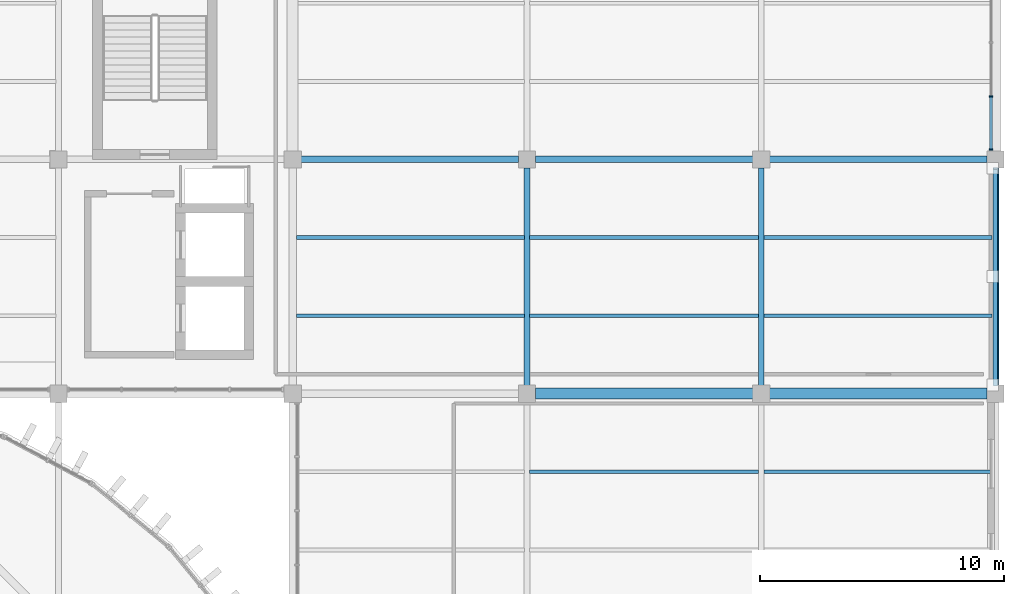
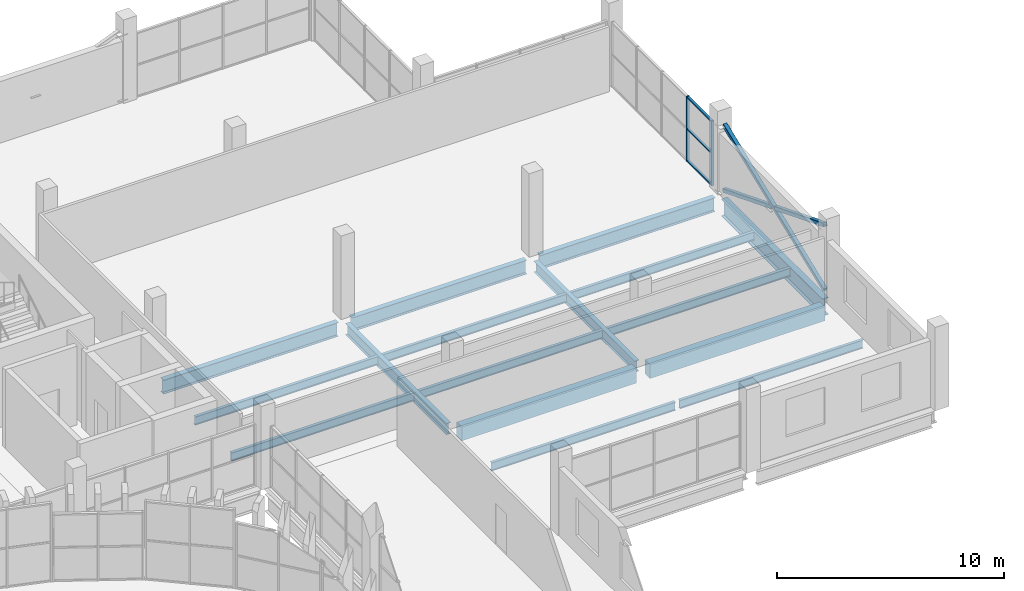
# One storey, part 30 of 75: 16 beams, 8 members, 1 element without a shape of its own.
"""IFC4 building model written with IfcOpenShell, lengths in metres."""

from ifc_helpers import new_model, si_unit, direction, frame, origin, origin_2d, place, context, subcontext, project, spatial, rectangle, hollow_rectangle, i_section, extrude, material, layer, layer_set, material_profile, profile_set, type_object, element, aggregate, save


model = new_model("IFC4")

# Units and contexts
model_context = context("Model", 3, precision=1e-05, world=origin(), true_north=direction((0.0, 1.0)))
body_context = subcontext(model_context, "Body", "Model", "MODEL_VIEW")
ifc_project = project(units=[si_unit("LENGTHUNIT", "METRE"), si_unit("AREAUNIT", "SQUARE_METRE"), si_unit("VOLUMEUNIT", "CUBIC_METRE"), si_unit("PLANEANGLEUNIT", "RADIAN"), si_unit("MASSUNIT", "GRAM", prefix="KILO")], contexts=[model_context])

# Site, building, storey
site_placement = place(None, origin())
site = spatial("IfcSite", under=ifc_project, at=site_placement, CompositionType="ELEMENT")
building_placement = place(site_placement, origin())
building = spatial("IfcBuilding", under=site, at=building_placement, Name="Caelomonte Colonnade Arena", CompositionType="ELEMENT")
storey_placement = place(building_placement, frame((0.0, 0.0, 14.10009765625)))
storey = spatial("IfcBuildingStorey", under=building, at=storey_placement, Name="L03", CompositionType="ELEMENT", Elevation=14.10009765625)

# Curtain wall, members
ifc_material_1 = material(Name="Bronze anodised aluminium and low-E glazing", Category="aluminium")
ifc_layer = layer(ifc_material_1, 0.179931640625)
ifc_layer_set = layer_set([ifc_layer], Name="Bronze anodised aluminium and low-E glazing")
curtain_wall_type = type_object("IfcCurtainWallType", Name="ENV-CW-CW-L03-96-35", PredefinedType="USERDEFINED", material=ifc_layer_set)
curtain_wall_placement = place(storey_placement, origin())
curtain_wall = element("IfcCurtainWall", 1, at=curtain_wall_placement, inside=storey, type_object=curtain_wall_type, Name="L03 unitized curtain wall CW-L03-1918-1296", ObjectType="UNITIZED CURTAIN WALL", PredefinedType="USERDEFINED")
ifc_material_2 = material(Name="Bronze anodised aluminium AA6063-T6", Category="aluminium")
ifc_material_profile_1 = material_profile(ifc_material_2, rectangle(XDim=0.06494140625, YDim=0.14990234375, at=origin_2d()), Name="CWM-65X150")
ifc_profile_set_1 = profile_set([ifc_material_profile_1], Name="Bronze anodised aluminium AA6063-T6")
member_type_1 = type_object("IfcMemberType", Name="ENV-CW-MULL2", PredefinedType="MULLION", material=ifc_profile_set_1)
member_1_placement = place(storey_placement, frame((191.820068359375, 125.202392578125, 0.0), z_axis=(0.0, 0.0, 1.0), x_axis=(0.0, 1.0, 0.0)))
member_1 = element("IfcMember", 2, at=member_1_placement, type_object=member_type_1, Name="CW-L03-96-35 mullion 1", PredefinedType="MULLION", context=body_context, shape_type="SweptSolid", body=[
    extrude(rectangle(XDim=0.06494140625, YDim=0.14990234375, at=origin_2d()), origin(), (0.0, 0.0, 1.0), 3.489990234375),
])
member_2_placement = place(storey_placement, frame((191.820068359375, 127.385009765625, 0.0), z_axis=(0.0, 0.0, 1.0), x_axis=(0.0, 1.0, 0.0)))
member_2 = element("IfcMember", 3, at=member_2_placement, type_object=member_type_1, Name="CW-L03-96-35 mullion 2", PredefinedType="MULLION", context=body_context, shape_type="SweptSolid", body=[
    extrude(rectangle(XDim=0.06494140625, YDim=0.14990234375, at=origin_2d()), origin(), (0.0, 0.0, 1.0), 3.489990234375),
])
ifc_material_profile_2 = material_profile(ifc_material_2, rectangle(XDim=0.06494140625, YDim=0.1201171875, at=origin_2d()), Name="CWT-65X120")
ifc_profile_set_2 = profile_set([ifc_material_profile_2], Name="Bronze anodised aluminium AA6063-T6")
member_type_2 = type_object("IfcMemberType", Name="ENV-CW-TRAN2", PredefinedType="USERDEFINED", material=ifc_profile_set_2)
member_3_placement = place(storey_placement, frame((191.820068359375, 125.235107421875, 0.032470703125), z_axis=(0.0, 1.0, 0.0), x_axis=(0.0, 0.0, 1.0)))
member_3 = element("IfcMember", 4, at=member_3_placement, type_object=member_type_2, Name="CW-L03-96-35 transom 1.1", ObjectType="TRANSOM", PredefinedType="USERDEFINED", context=body_context, shape_type="SweptSolid", body=[
    extrude(rectangle(XDim=0.06494140625, YDim=0.1201171875, at=origin_2d()), origin(), (0.0, 0.0, 1.0), 2.117431640625),
])
member_4_placement = place(storey_placement, frame((191.820068359375, 125.235107421875, 1.744873046875), z_axis=(0.0, 1.0, 0.0), x_axis=(0.0, 0.0, 1.0)))
member_4 = element("IfcMember", 5, at=member_4_placement, type_object=member_type_2, Name="CW-L03-96-35 transom 1.2", ObjectType="TRANSOM", PredefinedType="USERDEFINED", context=body_context, shape_type="SweptSolid", body=[
    extrude(rectangle(XDim=0.06494140625, YDim=0.1201171875, at=origin_2d()), origin(), (0.0, 0.0, 1.0), 2.117431640625),
])
member_5_placement = place(storey_placement, frame((191.820068359375, 125.235107421875, 3.45751953125), z_axis=(0.0, 1.0, 0.0), x_axis=(0.0, 0.0, 1.0)))
member_5 = element("IfcMember", 6, at=member_5_placement, type_object=member_type_2, Name="CW-L03-96-35 transom 1.3", ObjectType="TRANSOM", PredefinedType="USERDEFINED", context=body_context, shape_type="SweptSolid", body=[
    extrude(rectangle(XDim=0.06494140625, YDim=0.1201171875, at=origin_2d()), origin(), (0.0, 0.0, 1.0), 2.117431640625),
])
aggregate(curtain_wall, [member_1, member_2, member_3, member_4, member_5])

# Members
ifc_material_3 = material(Name="Steel ASTM A500 Grade C", Category="steel")
ifc_material_profile_3 = material_profile(ifc_material_3, hollow_rectangle(XDim=0.203125, YDim=0.203125, WallThickness=0.009521484375, InnerFilletRadius=0.009521484375, OuterFilletRadius=0.01904296875, at=origin_2d()), Name="HSS203X203X9.5")
ifc_profile_set_3 = profile_set([ifc_material_profile_3], Name="Steel ASTM A500 Grade C")
member_type_3 = type_object("IfcMemberType", Name="STR-BF-DIAG3", PredefinedType="BRACE", material=ifc_profile_set_3)
member_6_placement = place(storey_placement, frame((192.0, 115.563720703125, 0.161376953125), z_axis=(0.0, 0.929625953896, 0.368504526218), x_axis=(-1.0, 0.0, 0.0)))
element("IfcMember", 7, at=member_6_placement, inside=storey, type_object=member_type_3, Name="Braced frame BF4 L03 continuous diagonal A", PredefinedType="BRACE", context=body_context, shape_type="SweptSolid", body=[
    extrude(hollow_rectangle(XDim=0.203125, YDim=0.203125, WallThickness=0.009521484375, InnerFilletRadius=0.009521484375, OuterFilletRadius=0.01904296875, at=origin_2d()), origin(), (0.0, 0.0, 1.0), 9.544189453125),
])
for number, where, z_axis, x_axis, name in (
    (8, (192.0, 124.436279296875, 0.161376953125), (0.0, -0.929637675465, 0.368474954856), (1.0, 0.0, 0.0), "Braced frame BF4 L03 split diagonal B1"),
    (9, (192.0, 119.84765625, 1.98046875), (0.0, -0.929637675465, 0.368474954856), (1.0, 0.0, 0.0), "Braced frame BF4 L03 split diagonal B2"),
):
    element("IfcMember", number, at=place(storey_placement, frame(where, z_axis=z_axis, x_axis=x_axis)), inside=storey, type_object=member_type_3, Name=name, PredefinedType="BRACE", context=body_context, shape_type="SweptSolid", body=[
        extrude(hollow_rectangle(XDim=0.203125, YDim=0.203125, WallThickness=0.009521484375, InnerFilletRadius=0.009521484375, OuterFilletRadius=0.01904296875, at=origin_2d()), origin(), (0.0, 0.0, 1.0), 4.608154296875),
    ])

# Beams
ifc_material_4 = material(Name="Wide-flange steel ASTM A992 Grade 50", Category="steel")
ifc_material_profile_4 = material_profile(ifc_material_4, i_section(OverallWidth=0.307861328125, OverallDepth=0.927001953125, WebThickness=0.019287109375, FlangeThickness=0.031982421875, FilletRadius=0.020263671875, at=origin_2d()), Name="W36X194")
ifc_profile_set_4 = profile_set([ifc_material_profile_4], Name="Wide-flange steel ASTM A992 Grade 50")
beam_type_1 = type_object("IfcBeamType", Name="STR-BM-EAVES2", PredefinedType="SPANDREL", material=ifc_profile_set_4)
beam_placement = place(storey_placement, frame((192.0, 115.5419921875, -0.74365234375), z_axis=(0.0, 1.0, 0.0), x_axis=(-1.0, 0.0, 0.0)))
element("IfcBeam", 10, at=beam_placement, inside=storey, type_object=beam_type_1, Name="L03 girder BMY-L03-1920-1152", PredefinedType="SPANDREL", context=body_context, shape_type="SweptSolid", body=[
    extrude(i_section(OverallWidth=0.307861328125, OverallDepth=0.927001953125, WebThickness=0.019287109375, FlangeThickness=0.031982421875, FilletRadius=0.020263671875, at=origin_2d()), origin(), (0.0, 0.0, 1.0), 8.916015625),
])
ifc_material_profile_5 = material_profile(ifc_material_4, i_section(OverallWidth=0.228271484375, OverallDepth=0.607177734375, WebThickness=0.01123046875, FlangeThickness=0.017333984375, FilletRadius=0.0126953125, at=origin_2d()), Name="W24X76")
ifc_profile_set_5 = profile_set([ifc_material_profile_5], Name="Wide-flange steel ASTM A992 Grade 50")
beam_type_2 = type_object("IfcBeamType", Name="STR-BM-GIRD24", PredefinedType="BEAM", material=ifc_profile_set_5)
for number, where, z_axis, x_axis, name in (
    (11, (172.800048828125, 115.5419921875, -0.58349609375), (0.0, 1.0, 0.0), (-1.0, 0.0, 0.0), "L03 girder BMY-L03-1728-1152"),
    (12, (182.39990234375, 115.5419921875, -0.58349609375), (0.0, 1.0, 0.0), (-1.0, 0.0, 0.0), "L03 girder BMY-L03-1824-1152"),
):
    element("IfcBeam", number, at=place(storey_placement, frame(where, z_axis=z_axis, x_axis=x_axis)), inside=storey, type_object=beam_type_2, Name=name, PredefinedType="BEAM", context=body_context, shape_type="SweptSolid", body=[
        extrude(i_section(OverallWidth=0.228271484375, OverallDepth=0.607177734375, WebThickness=0.01123046875, FlangeThickness=0.017333984375, FilletRadius=0.0126953125, at=origin_2d()), origin(), (0.0, 0.0, 1.0), 8.916015625),
    ])
ifc_material_profile_6 = material_profile(ifc_material_4, i_section(OverallWidth=0.265380859375, OverallDepth=0.75439453125, WebThickness=0.01318359375, FlangeThickness=0.01708984375, FilletRadius=0.0166015625, at=origin_2d()), Name="W30X99")
ifc_profile_set_6 = profile_set([ifc_material_profile_6], Name="Wide-flange steel ASTM A992 Grade 50")
beam_type_3 = type_object("IfcBeamType", Name="STR-BM-GIRD30B", PredefinedType="BEAM", material=ifc_profile_set_6)
for number, where, z_axis, x_axis, name in (
    (13, (163.5419921875, 124.800048828125, -0.6572265625), (1.0, 0.0, 0.0), (0.0, 1.0, 0.0), "L03 girder BMX-L03-1632-1248"),
    (14, (173.14208984375, 124.800048828125, -0.6572265625), (1.0, 0.0, 0.0), (0.0, 1.0, 0.0), "L03 girder BMX-L03-1728-1248"),
    (15, (182.741943359375, 124.800048828125, -0.6572265625), (1.0, 0.0, 0.0), (0.0, 1.0, 0.0), "L03 girder BMX-L03-1824-1248"),
):
    element("IfcBeam", number, at=place(storey_placement, frame(where, z_axis=z_axis, x_axis=x_axis)), inside=storey, type_object=beam_type_3, Name=name, PredefinedType="BEAM", context=body_context, shape_type="SweptSolid", body=[
        extrude(i_section(OverallWidth=0.265380859375, OverallDepth=0.75439453125, WebThickness=0.01318359375, FlangeThickness=0.01708984375, FilletRadius=0.0166015625, at=origin_2d()), origin(), (0.0, 0.0, 1.0), 8.916015625),
    ])
ifc_material_profile_7 = material_profile(ifc_material_4, i_section(OverallWidth=0.15283203125, OverallDepth=0.45458984375, WebThickness=0.008056640625, FlangeThickness=0.01318359375, FilletRadius=0.01025390625, at=origin_2d()), Name="W18X40")
ifc_profile_set_7 = profile_set([ifc_material_profile_7], Name="Wide-flange steel ASTM A992 Grade 50")
beam_type_4 = type_object("IfcBeamType", Name="STR-BM-JOIST18B", PredefinedType="JOIST", material=ifc_profile_set_7)
for number, where, z_axis, x_axis, name in (
    (16, (163.348876953125, 118.39990234375, -0.50732421875), (1.0, 0.0, 0.0), (0.0, 1.0, 0.0), "L03 secondary joist 1"),
    (17, (163.348876953125, 121.60009765625, -0.50732421875), (1.0, 0.0, 0.0), (0.0, 1.0, 0.0), "L03 secondary joist 2"),
):
    element("IfcBeam", number, at=place(storey_placement, frame(where, z_axis=z_axis, x_axis=x_axis)), inside=storey, type_object=beam_type_4, Name=name, PredefinedType="JOIST", context=body_context, shape_type="SweptSolid", body=[
        extrude(i_section(OverallWidth=0.15283203125, OverallDepth=0.45458984375, WebThickness=0.008056640625, FlangeThickness=0.01318359375, FilletRadius=0.01025390625, at=origin_2d()), origin(), (0.0, 0.0, 1.0), 9.342041015625),
    ])
for number, where, z_axis, x_axis, name in (
    (18, (172.9091796875, 112.0, -0.50732421875), (1.0, 0.0, 0.0), (0.0, 1.0, 0.0), "L03 secondary joist 2"),
    (19, (172.9091796875, 118.39990234375, -0.50732421875), (1.0, 0.0, 0.0), (0.0, 1.0, 0.0), "L03 secondary joist 1"),
    (20, (172.9091796875, 121.60009765625, -0.50732421875), (1.0, 0.0, 0.0), (0.0, 1.0, 0.0), "L03 secondary joist 2"),
):
    element("IfcBeam", number, at=place(storey_placement, frame(where, z_axis=z_axis, x_axis=x_axis)), inside=storey, type_object=beam_type_4, Name=name, PredefinedType="JOIST", context=body_context, shape_type="SweptSolid", body=[
        extrude(i_section(OverallWidth=0.15283203125, OverallDepth=0.45458984375, WebThickness=0.008056640625, FlangeThickness=0.01318359375, FilletRadius=0.01025390625, at=origin_2d()), origin(), (0.0, 0.0, 1.0), 9.3818359375),
    ])
for number, where, z_axis, x_axis, name in (
    (21, (182.50927734375, 112.0, -0.50732421875), (1.0, 0.0, 0.0), (0.0, 1.0, 0.0), "L03 secondary joist 2"),
    (22, (182.50927734375, 118.39990234375, -0.50732421875), (1.0, 0.0, 0.0), (0.0, 1.0, 0.0), "L03 secondary joist 1"),
    (23, (182.50927734375, 121.60009765625, -0.50732421875), (1.0, 0.0, 0.0), (0.0, 1.0, 0.0), "L03 secondary joist 2"),
):
    element("IfcBeam", number, at=place(storey_placement, frame(where, z_axis=z_axis, x_axis=x_axis)), inside=storey, type_object=beam_type_4, Name=name, PredefinedType="JOIST", context=body_context, shape_type="SweptSolid", body=[
        extrude(i_section(OverallWidth=0.15283203125, OverallDepth=0.45458984375, WebThickness=0.008056640625, FlangeThickness=0.01318359375, FilletRadius=0.01025390625, at=origin_2d()), origin(), (0.0, 0.0, 1.0), 9.341796875),
    ])
ifc_material_5 = material(Name="Concrete C40/50", Category="concrete")
ifc_material_profile_8 = material_profile(ifc_material_5, rectangle(XDim=0.449951171875, YDim=0.75, at=origin_2d()), Name="RC450X750")
ifc_profile_set_8 = profile_set([ifc_material_profile_8], Name="Concrete C40/50")
beam_type_5 = type_object("IfcBeamType", Name="STR-BM-SPAN24", PredefinedType="SPANDREL", material=ifc_profile_set_8)
for number, where, z_axis, x_axis, name in (
    (24, (173.14208984375, 115.199951171875, -0.655029296875), (1.0, 0.0, 0.0), (0.0, 1.0, 0.0), "L03 girder BMX-L03-1728-1152"),
    (25, (182.741943359375, 115.199951171875, -0.655029296875), (1.0, 0.0, 0.0), (0.0, 1.0, 0.0), "L03 girder BMX-L03-1824-1152"),
):
    element("IfcBeam", number, at=place(storey_placement, frame(where, z_axis=z_axis, x_axis=x_axis)), inside=storey, type_object=beam_type_5, Name=name, PredefinedType="SPANDREL", context=body_context, shape_type="SweptSolid", body=[
        extrude(rectangle(XDim=0.449951171875, YDim=0.75, at=origin_2d()), origin(), (0.0, 0.0, 1.0), 8.916015625),
    ])

save(model, "model.ifc")
